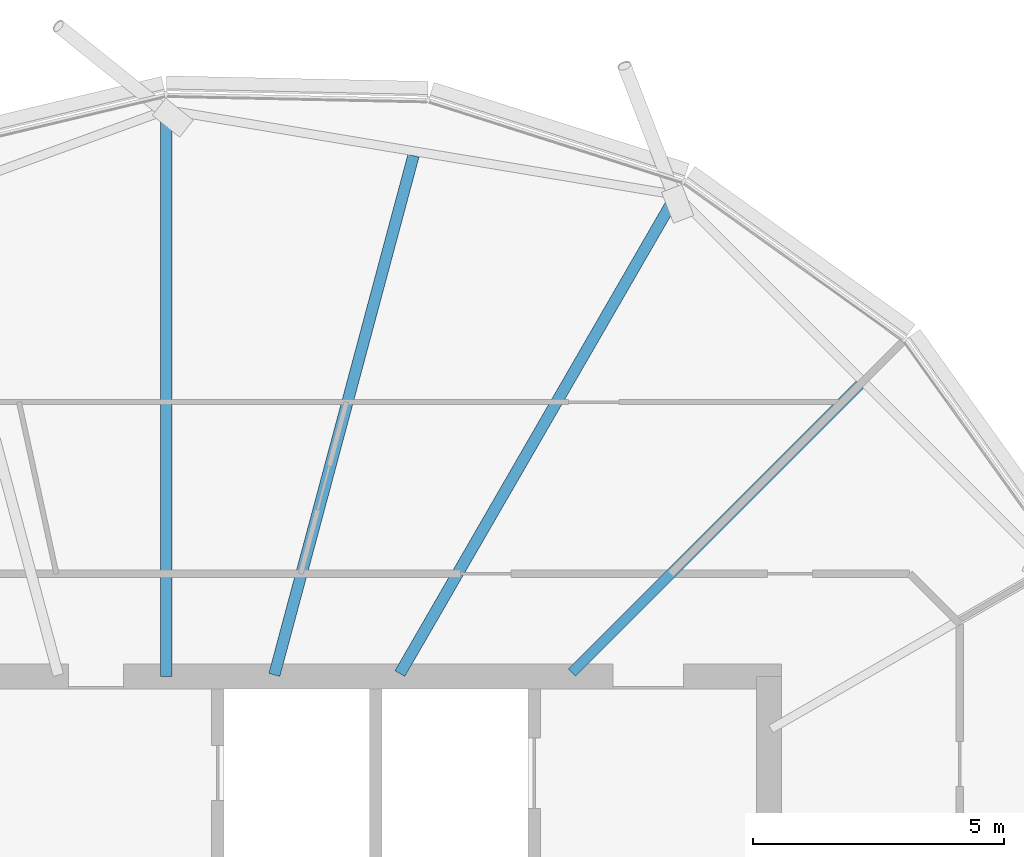
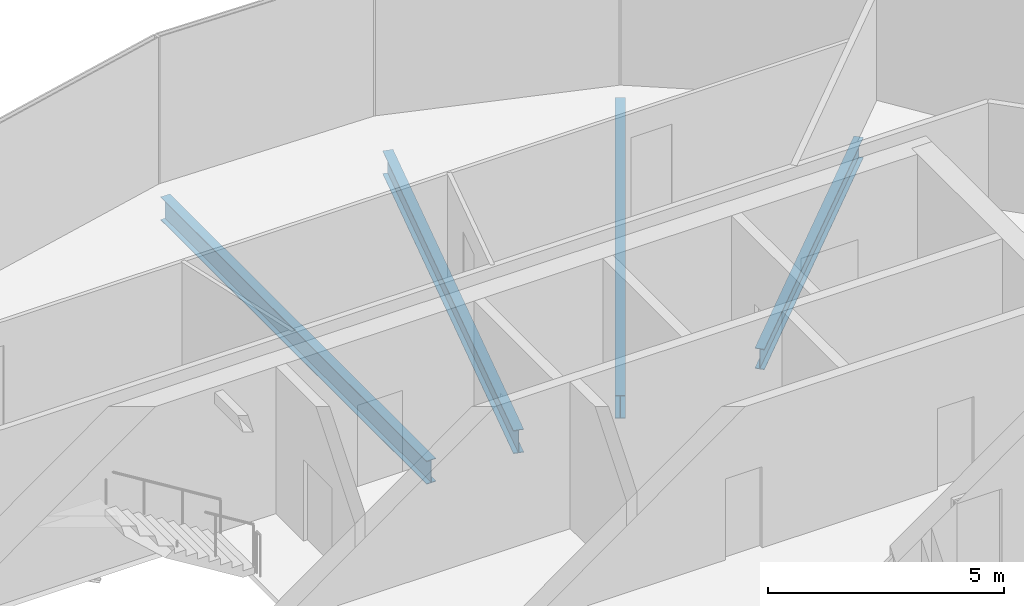
# One storey, part 13 of 35: 4 beams.
"""IFC4 building model written with IfcOpenShell, lengths in metres."""

import ifcopenshell
import ifcopenshell.guid

model = None  # the IFC model being written
_history = None  # IfcOwnerHistory: only IFC2X3 demands one
_inside = {}  # id of a spatial element -> (the spatial element, [elements in it])
_under = {}  # id of a project, library or spatial element -> (it, [spatial elements below it])
_declared = {}  # id of a project -> (the project, [libraries it declares])
_typed = {}  # id of a type object -> (the type object, [elements of that type])
_made_of = {}  # id of a material, layer set ... -> (it, [elements and type objects made of it])


def new_model(schema):
    """Start an empty IFC model of exactly this schema.

    Asked for "IFC4X3", IfcOpenShell would pick the latest addendum, in which some entities
    have other attributes; the version numbers below select the first issue.
    IFC2X3 requires an IfcOwnerHistory on every rooted entity: one is made here for all.
    """
    global model, _history
    if schema == "IFC4X3":
        model = ifcopenshell.file(schema_version=(4, 3, 0, 0))
    else:
        model = ifcopenshell.file(schema=schema)
    _inside.clear()
    _under.clear()
    _declared.clear()
    _typed.clear()
    _made_of.clear()
    _history = None
    if model.schema == "IFC2X3":
        org = make("IfcOrganization", Name="unknown")
        user = make(
            "IfcPersonAndOrganization",
            ThePerson=make("IfcPerson", FamilyName="unknown"),
            TheOrganization=org,
        )
        app = make(
            "IfcApplication",
            ApplicationDeveloper=org,
            Version="unknown",
            ApplicationFullName="unknown",
            ApplicationIdentifier="unknown",
        )
        _history = make(
            "IfcOwnerHistory",
            OwningUser=user,
            OwningApplication=app,
            ChangeAction="ADDED",
            CreationDate=0,
        )
    return model


def make(cls, **values):
    """One entity of the class cls with the attributes given. An attribute that is None is left unset."""
    return model.create_entity(
        cls, **{name: value for name, value in values.items() if value is not None}
    )


def rooted(cls, **values):
    """An entity with a GlobalId (a new one), such as an element, a storey or a relation."""
    return make(cls, GlobalId=ifcopenshell.guid.new(), OwnerHistory=_history, **values)


def si_unit(unit_type, name, prefix=None):
    """IfcSIUnit, for example si_unit("LENGTHUNIT", "METRE", prefix="MILLI")."""
    return make("IfcSIUnit", UnitType=unit_type, Prefix=prefix, Name=name)


def assignment(units):
    """IfcUnitAssignment: the units of a project."""
    return None if units is None else make("IfcUnitAssignment", Units=units)


def point(xyz):
    """IfcCartesianPoint."""
    return None if xyz is None else make("IfcCartesianPoint", Coordinates=xyz)


def direction(xyz):
    """IfcDirection."""
    return None if xyz is None else make("IfcDirection", DirectionRatios=xyz)


def frame(location, z_axis=None, x_axis=None):
    """IfcAxis2Placement3D, a coordinate frame: its origin and axes. An axis left out is left unset."""
    return make(
        "IfcAxis2Placement3D",
        Location=point(location),
        Axis=direction(z_axis),
        RefDirection=direction(x_axis),
    )


def frame_2d(location, x_axis=None):
    """IfcAxis2Placement2D, a coordinate frame in the plane: its origin and x axis."""
    return make(
        "IfcAxis2Placement2D", Location=point(location), RefDirection=direction(x_axis)
    )


def origin():
    """The frame at (0, 0, 0) with its axes left unset."""
    return frame((0.0, 0.0, 0.0))


def origin_2d():
    """The frame at (0, 0) in the plane with its x axis left unset."""
    return frame_2d((0.0, 0.0))


def place(relative_to, where):
    """IfcLocalPlacement: puts the frame where relative to a parent placement (None: the world)."""
    return make(
        "IfcLocalPlacement", PlacementRelTo=relative_to, RelativePlacement=where
    )


def context(
    kind, dimensions, precision=None, world=None, true_north=None, identifier=None
):
    """IfcGeometricRepresentationContext, for example the 3D "Model" context."""
    return make(
        "IfcGeometricRepresentationContext",
        ContextIdentifier=identifier,
        ContextType=kind,
        CoordinateSpaceDimension=dimensions,
        Precision=precision,
        WorldCoordinateSystem=world,
        TrueNorth=true_north,
    )


def subcontext(parent, identifier, kind, view, scale=None):
    """IfcGeometricRepresentationSubContext, for example "Body" below "Model"."""
    return make(
        "IfcGeometricRepresentationSubContext",
        ContextIdentifier=identifier,
        ContextType=kind,
        ParentContext=parent,
        TargetScale=scale,
        TargetView=view,
    )


def project(units=None, contexts=None):
    """IfcProject with its units and contexts."""
    return rooted(
        "IfcProject",
        Name="project",
        RepresentationContexts=contexts,
        UnitsInContext=assignment(units),
    )


def spatial(cls, under=None, at=None, **own):
    """A site, building, storey or space (cls), placed at a placement, below another one or the project."""
    s = rooted(cls, ObjectPlacement=at, **own)
    if under is not None:
        _under.setdefault(under.id(), (under, []))[1].append(s)
    return s


def profile(cls, at=None, kind="AREA", **sizes):
    """A parametric profile (cls). Its sizes go by their IFC names, for example OverallWidth=200.0."""
    return make(cls, ProfileType=kind, Position=at, **sizes)


def i_section(**sizes):
    """IfcIShapeProfileDef."""
    return profile("IfcIShapeProfileDef", **sizes)


def extrude(swept, where, along, depth):
    """IfcExtrudedAreaSolid: the profile swept, set in the frame where, extruded along a direction by depth."""
    return make(
        "IfcExtrudedAreaSolid",
        SweptArea=swept,
        Position=where,
        ExtrudedDirection=direction(along),
        Depth=depth,
    )


def shape(context_of_items, identifier, shape_type, items):
    """IfcShapeRepresentation: the items that make up one representation, for example the "Body"."""
    return make(
        "IfcShapeRepresentation",
        ContextOfItems=context_of_items,
        RepresentationIdentifier=identifier,
        RepresentationType=shape_type,
        Items=items,
    )


def material(Name=None, Category=None):
    """IfcMaterial."""
    return make("IfcMaterial", Name=Name, Category=Category)


def material_profile(
    of_material, cross_section, Name=None, Category=None, Priority=None
):
    """IfcMaterialProfile: a cross section and its material."""
    return make(
        "IfcMaterialProfile",
        Name=Name,
        Material=of_material,
        Profile=cross_section,
        Priority=Priority,
        Category=Category,
    )


def profile_set(profiles, Name=None, composite=None):
    """IfcMaterialProfileSet."""
    return make(
        "IfcMaterialProfileSet",
        Name=Name,
        MaterialProfiles=profiles,
        CompositeProfile=composite,
    )


def made_of(thing, what):
    """Note that an element or type object is made of a material, layer set ...; save() writes the relation."""
    if what is not None:
        _made_of.setdefault(what.id(), (what, []))[1].append(thing)
    return thing


def type_object(cls, material=None, **own):
    """A type object (cls), such as IfcWallType, which elements share."""
    return made_of(rooted(cls, **own), material)


def element(
    cls,
    number,
    at=None,
    inside=None,
    cuts=None,
    type_object=None,
    material=None,
    context=None,
    identifier="Body",
    shape_type=None,
    held_by="IfcProductDefinitionShape",
    body=None,
    shapes=None,
    **own,
):
    """One element of the class cls, such as IfcWall. Its Tag is "e" and its number.

    at: its placement. inside: the storey or other place that contains it. cuts: it is an
    opening in that element (IfcRelVoidsElement). A single representation is given by context,
    identifier, shape_type and body (its items); several are given by shapes. held_by: the class
    of the entity that holds the representations. save() writes the other relations.
    """
    e = rooted(cls, Tag="e%d" % number, ObjectPlacement=at, **own)
    if body is not None:
        shapes = [shape(context, identifier, shape_type, body)]
    if shapes is not None:
        e.Representation = make(held_by, Representations=shapes)
    if inside is not None:
        _inside.setdefault(inside.id(), (inside, []))[1].append(e)
    if cuts is not None:
        rooted(
            "IfcRelVoidsElement", RelatingBuildingElement=cuts, RelatedOpeningElement=e
        )
    if type_object is not None:
        _typed.setdefault(type_object.id(), (type_object, []))[1].append(e)
    return made_of(e, material)


def aggregate(whole, parts):
    """IfcRelAggregates: a whole, such as a stair, and the parts it consists of."""
    return rooted("IfcRelAggregates", RelatingObject=whole, RelatedObjects=parts)


def save(model, path):
    """Write the relations noted so far, then the file.

    IfcRelAggregates (storeys below a building ...), IfcRelContainedInSpatialStructure (elements
    in a storey), IfcRelDefinesByType, IfcRelAssociatesMaterial and IfcRelDeclares: one each for
    every whole, place, type object, material and project.
    """
    for whole, parts in _under.values():
        aggregate(whole, parts)
    for where, things in _inside.values():
        rooted(
            "IfcRelContainedInSpatialStructure",
            RelatedElements=things,
            RelatingStructure=where,
        )
    for kind, things in _typed.values():
        rooted("IfcRelDefinesByType", RelatedObjects=things, RelatingType=kind)
    for what, things in _made_of.values():
        rooted("IfcRelAssociatesMaterial", RelatedObjects=things, RelatingMaterial=what)
    for by, libraries in _declared.values():
        rooted("IfcRelDeclares", RelatingContext=by, RelatedDefinitions=libraries)
    model.write(path)


model = new_model("IFC4")

# Units and contexts
model_context = context("Model", 3, precision=1e-05, world=origin(), true_north=direction((0.0, 1.0)))
body_context = subcontext(model_context, "Body", "Model", "MODEL_VIEW")
ifc_project = project(units=[si_unit("LENGTHUNIT", "METRE"), si_unit("AREAUNIT", "SQUARE_METRE"), si_unit("VOLUMEUNIT", "CUBIC_METRE"), si_unit("PLANEANGLEUNIT", "RADIAN"), si_unit("MASSUNIT", "GRAM", prefix="KILO")], contexts=[model_context])

# Site, building, storey
site_placement = place(None, origin())
site = spatial("IfcSite", under=ifc_project, at=site_placement, CompositionType="ELEMENT")
building_placement = place(site_placement, origin())
building = spatial("IfcBuilding", under=site, at=building_placement, Name="Rimbun Link Towers", CompositionType="ELEMENT")
storey_placement = place(building_placement, frame((0.0, 0.0, 229.5)))
storey = spatial("IfcBuildingStorey", under=building, at=storey_placement, Name="L56", CompositionType="ELEMENT", Elevation=229.5)

# Beams
ifc_material_1 = material(Name="Steel S355J2", Category="steel")
ifc_material_profile_1 = material_profile(ifc_material_1, i_section(OverallWidth=0.209228515625, OverallDepth=0.533203125, WebThickness=0.010009765625, FlangeThickness=0.015625, at=origin_2d()), Name="UB 533x210x92")
ifc_profile_set_1 = profile_set([ifc_material_profile_1], Name="Steel S355J2")
beam_type_1 = type_object("IfcBeamType", Name="UB 533x210x92", PredefinedType="BEAM", material=ifc_profile_set_1)
beam_1_placement = place(storey_placement, frame((39.82470703125, 8.07470703125, -0.406494140625), z_axis=(0.707106781187, 0.707106781187, 0.0), x_axis=(-0.707106781187, 0.707106781187, 0.0)))
element("IfcBeam", 1, at=beam_1_placement, inside=storey, type_object=beam_type_1, Name="Radial beam T2 L56 00", PredefinedType="BEAM", context=body_context, shape_type="SweptSolid", body=[
    extrude(i_section(OverallWidth=0.209228515625, OverallDepth=0.533203125, WebThickness=0.010009765625, FlangeThickness=0.015625, at=origin_2d()), origin(), (0.0, 0.0, 1.0), 8.110595703125),
])
ifc_material_2 = material(Name="Steel S355J2", Category="steel")
ifc_material_profile_2 = material_profile(ifc_material_2, i_section(OverallWidth=0.2275390625, OverallDepth=0.6025390625, WebThickness=0.010498046875, FlangeThickness=0.014892578125, at=origin_2d()), Name="UB 610x229x101")
ifc_profile_set_2 = profile_set([ifc_material_profile_2], Name="Steel S355J2")
beam_type_2 = type_object("IfcBeamType", Name="UB 610x229x101", PredefinedType="BEAM", material=ifc_profile_set_2)
beam_2_placement = place(storey_placement, frame((36.402099609375, 8.057861328125, -0.44140625), z_axis=(0.499993790352, 0.866028988896, 0.0), x_axis=(-0.866028988896, 0.499993790352, 0.0)))
element("IfcBeam", 2, at=beam_2_placement, inside=storey, type_object=beam_type_2, Name="Radial beam T2 L56 01", PredefinedType="BEAM", context=body_context, shape_type="SweptSolid", body=[
    extrude(i_section(OverallWidth=0.2275390625, OverallDepth=0.6025390625, WebThickness=0.010498046875, FlangeThickness=0.014892578125, at=origin_2d()), origin(), (0.0, 0.0, 1.0), 11.008056640625),
])
beam_3_placement = place(storey_placement, frame((33.901611328125, 8.030517578125, -0.44140625), z_axis=(0.258836404679, 0.965921174637, 0.0), x_axis=(-0.965921174637, 0.258836404679, 0.0)))
element("IfcBeam", 3, at=beam_3_placement, inside=storey, type_object=beam_type_2, Name="Radial beam T2 L56 02", PredefinedType="BEAM", context=body_context, shape_type="SweptSolid", body=[
    extrude(i_section(OverallWidth=0.2275390625, OverallDepth=0.6025390625, WebThickness=0.010498046875, FlangeThickness=0.014892578125, at=origin_2d()), origin(), (0.0, 0.0, 1.0), 10.70458984375),
])
beam_4_placement = place(storey_placement, frame((31.75, 8.0009765625, -0.44140625), z_axis=(0.0, 1.0, 0.0), x_axis=(-1.0, 0.0, 0.0)))
element("IfcBeam", 4, at=beam_4_placement, inside=storey, type_object=beam_type_2, Name="Radial beam T2 L56 03", PredefinedType="BEAM", context=body_context, shape_type="SweptSolid", body=[
    extrude(i_section(OverallWidth=0.2275390625, OverallDepth=0.6025390625, WebThickness=0.010498046875, FlangeThickness=0.014892578125, at=origin_2d()), origin(), (0.0, 0.0, 1.0), 11.279296875),
])

save(model, "model.ifc")
